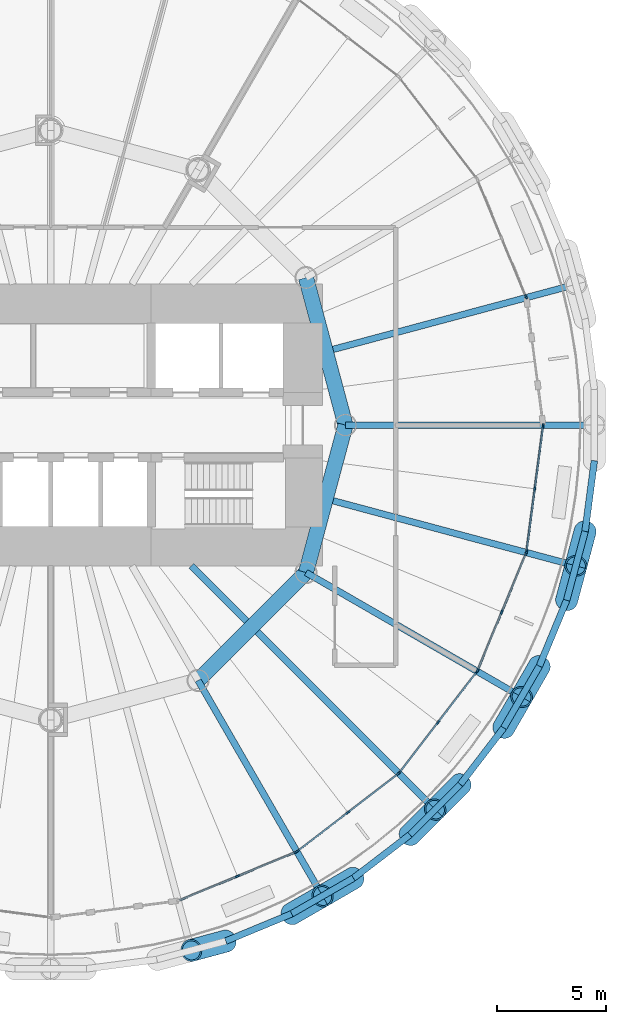
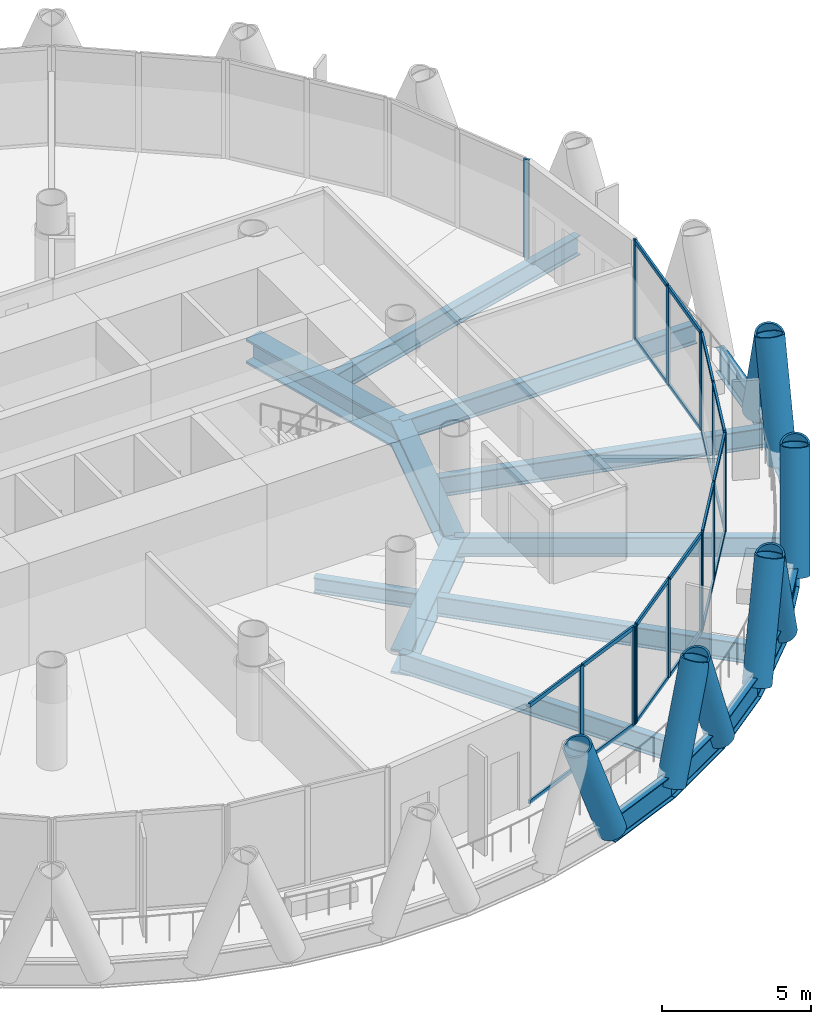
# One storey, part 4 of 16: 44 members, 19 beams, 6 elements without a shape of their own.
"""IFC4 building model written with IfcOpenShell, lengths in metres."""

import ifcopenshell
import ifcopenshell.guid

model = None  # the IFC model being written
_history = None  # IfcOwnerHistory: only IFC2X3 demands one
_inside = {}  # id of a spatial element -> (the spatial element, [elements in it])
_under = {}  # id of a project, library or spatial element -> (it, [spatial elements below it])
_declared = {}  # id of a project -> (the project, [libraries it declares])
_typed = {}  # id of a type object -> (the type object, [elements of that type])
_made_of = {}  # id of a material, layer set ... -> (it, [elements and type objects made of it])


def new_model(schema):
    """Start an empty IFC model of exactly this schema.

    Asked for "IFC4X3", IfcOpenShell would pick the latest addendum, in which some entities
    have other attributes; the version numbers below select the first issue.
    IFC2X3 requires an IfcOwnerHistory on every rooted entity: one is made here for all.
    """
    global model, _history
    if schema == "IFC4X3":
        model = ifcopenshell.file(schema_version=(4, 3, 0, 0))
    else:
        model = ifcopenshell.file(schema=schema)
    _inside.clear()
    _under.clear()
    _declared.clear()
    _typed.clear()
    _made_of.clear()
    _history = None
    if model.schema == "IFC2X3":
        org = make("IfcOrganization", Name="unknown")
        user = make(
            "IfcPersonAndOrganization",
            ThePerson=make("IfcPerson", FamilyName="unknown"),
            TheOrganization=org,
        )
        app = make(
            "IfcApplication",
            ApplicationDeveloper=org,
            Version="unknown",
            ApplicationFullName="unknown",
            ApplicationIdentifier="unknown",
        )
        _history = make(
            "IfcOwnerHistory",
            OwningUser=user,
            OwningApplication=app,
            ChangeAction="ADDED",
            CreationDate=0,
        )
    return model


def make(cls, **values):
    """One entity of the class cls with the attributes given. An attribute that is None is left unset."""
    return model.create_entity(
        cls, **{name: value for name, value in values.items() if value is not None}
    )


def rooted(cls, **values):
    """An entity with a GlobalId (a new one), such as an element, a storey or a relation."""
    return make(cls, GlobalId=ifcopenshell.guid.new(), OwnerHistory=_history, **values)


def si_unit(unit_type, name, prefix=None):
    """IfcSIUnit, for example si_unit("LENGTHUNIT", "METRE", prefix="MILLI")."""
    return make("IfcSIUnit", UnitType=unit_type, Prefix=prefix, Name=name)


def assignment(units):
    """IfcUnitAssignment: the units of a project."""
    return None if units is None else make("IfcUnitAssignment", Units=units)


def point(xyz):
    """IfcCartesianPoint."""
    return None if xyz is None else make("IfcCartesianPoint", Coordinates=xyz)


def direction(xyz):
    """IfcDirection."""
    return None if xyz is None else make("IfcDirection", DirectionRatios=xyz)


def frame(location, z_axis=None, x_axis=None):
    """IfcAxis2Placement3D, a coordinate frame: its origin and axes. An axis left out is left unset."""
    return make(
        "IfcAxis2Placement3D",
        Location=point(location),
        Axis=direction(z_axis),
        RefDirection=direction(x_axis),
    )


def frame_2d(location, x_axis=None):
    """IfcAxis2Placement2D, a coordinate frame in the plane: its origin and x axis."""
    return make(
        "IfcAxis2Placement2D", Location=point(location), RefDirection=direction(x_axis)
    )


def origin():
    """The frame at (0, 0, 0) with its axes left unset."""
    return frame((0.0, 0.0, 0.0))


def origin_2d():
    """The frame at (0, 0) in the plane with its x axis left unset."""
    return frame_2d((0.0, 0.0))


def place(relative_to, where):
    """IfcLocalPlacement: puts the frame where relative to a parent placement (None: the world)."""
    return make(
        "IfcLocalPlacement", PlacementRelTo=relative_to, RelativePlacement=where
    )


def context(
    kind, dimensions, precision=None, world=None, true_north=None, identifier=None
):
    """IfcGeometricRepresentationContext, for example the 3D "Model" context."""
    return make(
        "IfcGeometricRepresentationContext",
        ContextIdentifier=identifier,
        ContextType=kind,
        CoordinateSpaceDimension=dimensions,
        Precision=precision,
        WorldCoordinateSystem=world,
        TrueNorth=true_north,
    )


def subcontext(parent, identifier, kind, view, scale=None):
    """IfcGeometricRepresentationSubContext, for example "Body" below "Model"."""
    return make(
        "IfcGeometricRepresentationSubContext",
        ContextIdentifier=identifier,
        ContextType=kind,
        ParentContext=parent,
        TargetScale=scale,
        TargetView=view,
    )


def project(units=None, contexts=None):
    """IfcProject with its units and contexts."""
    return rooted(
        "IfcProject",
        Name="project",
        RepresentationContexts=contexts,
        UnitsInContext=assignment(units),
    )


def spatial(cls, under=None, at=None, **own):
    """A site, building, storey or space (cls), placed at a placement, below another one or the project."""
    s = rooted(cls, ObjectPlacement=at, **own)
    if under is not None:
        _under.setdefault(under.id(), (under, []))[1].append(s)
    return s


def profile(cls, at=None, kind="AREA", **sizes):
    """A parametric profile (cls). Its sizes go by their IFC names, for example OverallWidth=200.0."""
    return make(cls, ProfileType=kind, Position=at, **sizes)


def rectangle(**sizes):
    """IfcRectangleProfileDef."""
    return profile("IfcRectangleProfileDef", **sizes)


def hollow_circle(**sizes):
    """IfcCircleHollowProfileDef."""
    return profile("IfcCircleHollowProfileDef", **sizes)


def i_section(**sizes):
    """IfcIShapeProfileDef."""
    return profile("IfcIShapeProfileDef", **sizes)


def extrude(swept, where, along, depth):
    """IfcExtrudedAreaSolid: the profile swept, set in the frame where, extruded along a direction by depth."""
    return make(
        "IfcExtrudedAreaSolid",
        SweptArea=swept,
        Position=where,
        ExtrudedDirection=direction(along),
        Depth=depth,
    )


def shape(context_of_items, identifier, shape_type, items):
    """IfcShapeRepresentation: the items that make up one representation, for example the "Body"."""
    return make(
        "IfcShapeRepresentation",
        ContextOfItems=context_of_items,
        RepresentationIdentifier=identifier,
        RepresentationType=shape_type,
        Items=items,
    )


def material(Name=None, Category=None):
    """IfcMaterial."""
    return make("IfcMaterial", Name=Name, Category=Category)


def material_profile(
    of_material, cross_section, Name=None, Category=None, Priority=None
):
    """IfcMaterialProfile: a cross section and its material."""
    return make(
        "IfcMaterialProfile",
        Name=Name,
        Material=of_material,
        Profile=cross_section,
        Priority=Priority,
        Category=Category,
    )


def profile_set(profiles, Name=None, composite=None):
    """IfcMaterialProfileSet."""
    return make(
        "IfcMaterialProfileSet",
        Name=Name,
        MaterialProfiles=profiles,
        CompositeProfile=composite,
    )


def made_of(thing, what):
    """Note that an element or type object is made of a material, layer set ...; save() writes the relation."""
    if what is not None:
        _made_of.setdefault(what.id(), (what, []))[1].append(thing)
    return thing


def type_object(cls, material=None, **own):
    """A type object (cls), such as IfcWallType, which elements share."""
    return made_of(rooted(cls, **own), material)


def element(
    cls,
    number,
    at=None,
    inside=None,
    cuts=None,
    type_object=None,
    material=None,
    context=None,
    identifier="Body",
    shape_type=None,
    held_by="IfcProductDefinitionShape",
    body=None,
    shapes=None,
    **own,
):
    """One element of the class cls, such as IfcWall. Its Tag is "e" and its number.

    at: its placement. inside: the storey or other place that contains it. cuts: it is an
    opening in that element (IfcRelVoidsElement). A single representation is given by context,
    identifier, shape_type and body (its items); several are given by shapes. held_by: the class
    of the entity that holds the representations. save() writes the other relations.
    """
    e = rooted(cls, Tag="e%d" % number, ObjectPlacement=at, **own)
    if body is not None:
        shapes = [shape(context, identifier, shape_type, body)]
    if shapes is not None:
        e.Representation = make(held_by, Representations=shapes)
    if inside is not None:
        _inside.setdefault(inside.id(), (inside, []))[1].append(e)
    if cuts is not None:
        rooted(
            "IfcRelVoidsElement", RelatingBuildingElement=cuts, RelatedOpeningElement=e
        )
    if type_object is not None:
        _typed.setdefault(type_object.id(), (type_object, []))[1].append(e)
    return made_of(e, material)


def aggregate(whole, parts):
    """IfcRelAggregates: a whole, such as a stair, and the parts it consists of."""
    return rooted("IfcRelAggregates", RelatingObject=whole, RelatedObjects=parts)


def save(model, path):
    """Write the relations noted so far, then the file.

    IfcRelAggregates (storeys below a building ...), IfcRelContainedInSpatialStructure (elements
    in a storey), IfcRelDefinesByType, IfcRelAssociatesMaterial and IfcRelDeclares: one each for
    every whole, place, type object, material and project.
    """
    for whole, parts in _under.values():
        aggregate(whole, parts)
    for where, things in _inside.values():
        rooted(
            "IfcRelContainedInSpatialStructure",
            RelatedElements=things,
            RelatingStructure=where,
        )
    for kind, things in _typed.values():
        rooted("IfcRelDefinesByType", RelatedObjects=things, RelatingType=kind)
    for what, things in _made_of.values():
        rooted("IfcRelAssociatesMaterial", RelatedObjects=things, RelatingMaterial=what)
    for by, libraries in _declared.values():
        rooted("IfcRelDeclares", RelatingContext=by, RelatedDefinitions=libraries)
    model.write(path)


model = new_model("IFC4")

# Units and contexts
model_context = context("Model", 3, precision=1e-05, world=origin(), true_north=direction((0.0, 1.0)))
body_context = subcontext(model_context, "Body", "Model", "MODEL_VIEW")
ifc_project = project(units=[si_unit("LENGTHUNIT", "METRE"), si_unit("AREAUNIT", "SQUARE_METRE"), si_unit("VOLUMEUNIT", "CUBIC_METRE"), si_unit("PLANEANGLEUNIT", "RADIAN"), si_unit("MASSUNIT", "GRAM", prefix="KILO")], contexts=[model_context])

# Site, building, storey
site_placement = place(None, origin())
site = spatial("IfcSite", under=ifc_project, at=site_placement, CompositionType="ELEMENT")
building_placement = place(site_placement, origin())
building = spatial("IfcBuilding", under=site, at=building_placement, Name="Qaws Media Tower", CompositionType="ELEMENT")
storey_placement = place(building_placement, frame((0.0, 0.0, 139.39990234375)))
storey = spatial("IfcBuildingStorey", under=building, at=storey_placement, Name="L31", CompositionType="ELEMENT", Elevation=139.39990234375)

# Curtain wall, member
ifc_material_1 = material(Name="Aluminium and clear glass", Category="aluminium")
curtain_wall_type = type_object("IfcCurtainWallType", Name="Unitised curtain wall CW-B", PredefinedType="NOTDEFINED", material=ifc_material_1)
curtain_wall_1_placement = place(storey_placement, origin())
curtain_wall_1 = element("IfcCurtainWall", 1, at=curtain_wall_1_placement, inside=storey, type_object=curtain_wall_type, Name="CWB curtain wall L31-02", PredefinedType="NOTDEFINED")
ifc_material_2 = material(Name="Aluminium mullion", Category="aluminium")
ifc_material_profile_1 = material_profile(ifc_material_2, rectangle(XDim=0.080078125, YDim=0.199951171875, at=origin_2d()), Name="80x200")
ifc_profile_set_1 = profile_set([ifc_material_profile_1], Name="Aluminium mullion")
member_type_1 = type_object("IfcMemberType", Name="Curtain wall mullion 80x200", PredefinedType="MULLION", material=ifc_profile_set_1)
member_1_placement = place(storey_placement, frame((81.766357421875, 55.873291015625, 0.0), z_axis=(0.0, 0.0, 1.0), x_axis=(-0.923879575812, -0.382683327828, 0.0)))
member_1 = element("IfcMember", 2, at=member_1_placement, type_object=member_type_1, Name="CWB mullion 1", PredefinedType="MULLION", context=body_context, shape_type="SweptSolid", body=[
    extrude(rectangle(XDim=0.080078125, YDim=0.199951171875, at=origin_2d()), origin(), (0.0, 0.0, 1.0), 4.0400390625),
])
aggregate(curtain_wall_1, [member_1])

# Curtain wall, members
curtain_wall_2_placement = place(storey_placement, origin())
curtain_wall_2 = element("IfcCurtainWall", 3, at=curtain_wall_2_placement, inside=storey, type_object=curtain_wall_type, Name="CWB curtain wall L31-20", PredefinedType="NOTDEFINED")
member_2_placement = place(storey_placement, frame((68.5556640625, 29.3447265625, 0.0), z_axis=(0.0, 0.0, 1.0), x_axis=(-0.382683327828, 0.923879575812, 0.0)))
member_2 = element("IfcMember", 4, at=member_2_placement, type_object=member_type_1, Name="CWB mullion 2", PredefinedType="MULLION", context=body_context, shape_type="SweptSolid", body=[
    extrude(rectangle(XDim=0.080078125, YDim=0.199951171875, at=origin_2d()), origin(), (0.0, 0.0, 1.0), 4.0400390625),
])
member_3_placement = place(storey_placement, frame((71.238037109375, 30.455810546875, 0.0), z_axis=(0.0, 0.0, 1.0), x_axis=(-0.382683327828, 0.923879575812, 0.0)))
member_3 = element("IfcMember", 5, at=member_3_placement, type_object=member_type_1, Name="CWB mullion 3", PredefinedType="MULLION", context=body_context, shape_type="SweptSolid", body=[
    extrude(rectangle(XDim=0.080078125, YDim=0.199951171875, at=origin_2d()), origin(), (0.0, 0.0, 1.0), 4.0400390625),
])

curtain_wall_3_placement = place(storey_placement, origin())
curtain_wall_3 = element("IfcCurtainWall", 6, at=curtain_wall_3_placement, inside=storey, type_object=curtain_wall_type, Name="CWB curtain wall L31-21", PredefinedType="NOTDEFINED")
member_4_placement = place(storey_placement, frame((71.306640625, 30.495361328125, 0.0), z_axis=(0.0, 0.0, 1.0), x_axis=(-0.608761428552, 0.793353340642, 0.0)))
member_4 = element("IfcMember", 7, at=member_4_placement, type_object=member_type_1, Name="CWB mullion 1", PredefinedType="MULLION", context=body_context, shape_type="SweptSolid", body=[
    extrude(rectangle(XDim=0.080078125, YDim=0.199951171875, at=origin_2d()), origin(), (0.0, 0.0, 1.0), 4.0400390625),
])
member_5_placement = place(storey_placement, frame((73.610107421875, 32.262939453125, 0.0), z_axis=(0.0, 0.0, 1.0), x_axis=(-0.608761428552, 0.793353340642, 0.0)))
member_5 = element("IfcMember", 8, at=member_5_placement, type_object=member_type_1, Name="CWB mullion 2", PredefinedType="MULLION", context=body_context, shape_type="SweptSolid", body=[
    extrude(rectangle(XDim=0.080078125, YDim=0.199951171875, at=origin_2d()), origin(), (0.0, 0.0, 1.0), 4.0400390625),
])
member_6_placement = place(storey_placement, frame((75.91357421875, 34.0302734375, 0.0), z_axis=(0.0, 0.0, 1.0), x_axis=(-0.608761428552, 0.793353340642, 0.0)))
member_6 = element("IfcMember", 9, at=member_6_placement, type_object=member_type_1, Name="CWB mullion 3", PredefinedType="MULLION", context=body_context, shape_type="SweptSolid", body=[
    extrude(rectangle(XDim=0.080078125, YDim=0.199951171875, at=origin_2d()), origin(), (0.0, 0.0, 1.0), 4.0400390625),
])

curtain_wall_4_placement = place(storey_placement, origin())
curtain_wall_4 = element("IfcCurtainWall", 10, at=curtain_wall_4_placement, inside=storey, type_object=curtain_wall_type, Name="CWB curtain wall L31-22", PredefinedType="NOTDEFINED")
member_7_placement = place(storey_placement, frame((75.9697265625, 34.08642578125, 0.0), z_axis=(0.0, 0.0, 1.0), x_axis=(-0.793353340642, 0.608761428552, 0.0)))
member_7 = element("IfcMember", 11, at=member_7_placement, type_object=member_type_1, Name="CWB mullion 1", PredefinedType="MULLION", context=body_context, shape_type="SweptSolid", body=[
    extrude(rectangle(XDim=0.080078125, YDim=0.199951171875, at=origin_2d()), origin(), (0.0, 0.0, 1.0), 4.0400390625),
])
member_8_placement = place(storey_placement, frame((77.737060546875, 36.389892578125, 0.0), z_axis=(0.0, 0.0, 1.0), x_axis=(-0.793353340642, 0.608761428552, 0.0)))
member_8 = element("IfcMember", 12, at=member_8_placement, type_object=member_type_1, Name="CWB mullion 2", PredefinedType="MULLION", context=body_context, shape_type="SweptSolid", body=[
    extrude(rectangle(XDim=0.080078125, YDim=0.199951171875, at=origin_2d()), origin(), (0.0, 0.0, 1.0), 4.0400390625),
])
member_9_placement = place(storey_placement, frame((79.504638671875, 38.693359375, 0.0), z_axis=(0.0, 0.0, 1.0), x_axis=(-0.793353340642, 0.608761428552, 0.0)))
member_9 = element("IfcMember", 13, at=member_9_placement, type_object=member_type_1, Name="CWB mullion 3", PredefinedType="MULLION", context=body_context, shape_type="SweptSolid", body=[
    extrude(rectangle(XDim=0.080078125, YDim=0.199951171875, at=origin_2d()), origin(), (0.0, 0.0, 1.0), 4.0400390625),
])

curtain_wall_5_placement = place(storey_placement, origin())
curtain_wall_5 = element("IfcCurtainWall", 14, at=curtain_wall_5_placement, inside=storey, type_object=curtain_wall_type, Name="CWB curtain wall L31-23", PredefinedType="NOTDEFINED")
member_10_placement = place(storey_placement, frame((79.544189453125, 38.761962890625, 0.0), z_axis=(0.0, 0.0, 1.0), x_axis=(-0.923879575812, 0.382683327828, 0.0)))
member_10 = element("IfcMember", 15, at=member_10_placement, type_object=member_type_1, Name="CWB mullion 1", PredefinedType="MULLION", context=body_context, shape_type="SweptSolid", body=[
    extrude(rectangle(XDim=0.080078125, YDim=0.199951171875, at=origin_2d()), origin(), (0.0, 0.0, 1.0), 4.0400390625),
])
member_11_placement = place(storey_placement, frame((80.6552734375, 41.4443359375, 0.0), z_axis=(0.0, 0.0, 1.0), x_axis=(-0.923879575812, 0.382683327828, 0.0)))
member_11 = element("IfcMember", 16, at=member_11_placement, type_object=member_type_1, Name="CWB mullion 2", PredefinedType="MULLION", context=body_context, shape_type="SweptSolid", body=[
    extrude(rectangle(XDim=0.080078125, YDim=0.199951171875, at=origin_2d()), origin(), (0.0, 0.0, 1.0), 4.0400390625),
])
member_12_placement = place(storey_placement, frame((81.766357421875, 44.126708984375, 0.0), z_axis=(0.0, 0.0, 1.0), x_axis=(-0.923879575812, 0.382683327828, 0.0)))
member_12 = element("IfcMember", 17, at=member_12_placement, type_object=member_type_1, Name="CWB mullion 3", PredefinedType="MULLION", context=body_context, shape_type="SweptSolid", body=[
    extrude(rectangle(XDim=0.080078125, YDim=0.199951171875, at=origin_2d()), origin(), (0.0, 0.0, 1.0), 4.0400390625),
])

curtain_wall_6_placement = place(storey_placement, origin())
curtain_wall_6 = element("IfcCurtainWall", 18, at=curtain_wall_6_placement, inside=storey, type_object=curtain_wall_type, Name="CWB curtain wall L31-24", PredefinedType="NOTDEFINED")
member_13_placement = place(storey_placement, frame((81.786865234375, 44.203369140625, 0.0), z_axis=(0.0, 0.0, 1.0), x_axis=(-0.991444851608, 0.130526266402, 0.0)))
member_13 = element("IfcMember", 19, at=member_13_placement, type_object=member_type_1, Name="CWB mullion 1", PredefinedType="MULLION", context=body_context, shape_type="SweptSolid", body=[
    extrude(rectangle(XDim=0.080078125, YDim=0.199951171875, at=origin_2d()), origin(), (0.0, 0.0, 1.0), 4.0400390625),
])
member_14_placement = place(storey_placement, frame((82.165771484375, 47.081787109375, 0.0), z_axis=(0.0, 0.0, 1.0), x_axis=(-0.991444851608, 0.130526266402, 0.0)))
member_14 = element("IfcMember", 20, at=member_14_placement, type_object=member_type_1, Name="CWB mullion 2", PredefinedType="MULLION", context=body_context, shape_type="SweptSolid", body=[
    extrude(rectangle(XDim=0.080078125, YDim=0.199951171875, at=origin_2d()), origin(), (0.0, 0.0, 1.0), 4.0400390625),
])
member_15_placement = place(storey_placement, frame((82.544677734375, 49.96044921875, 0.0), z_axis=(0.0, 0.0, 1.0), x_axis=(-0.991444851608, 0.130526266402, 0.0)))
member_15 = element("IfcMember", 21, at=member_15_placement, type_object=member_type_1, Name="CWB mullion 3", PredefinedType="MULLION", context=body_context, shape_type="SweptSolid", body=[
    extrude(rectangle(XDim=0.080078125, YDim=0.199951171875, at=origin_2d()), origin(), (0.0, 0.0, 1.0), 4.0400390625),
])

# Member
ifc_material_3 = material(Name="Aluminium transom", Category="aluminium")
ifc_material_profile_2 = material_profile(ifc_material_3, rectangle(XDim=0.080078125, YDim=0.159912109375, at=origin_2d()), Name="80x160")
ifc_profile_set_2 = profile_set([ifc_material_profile_2], Name="Aluminium transom")
member_type_2 = type_object("IfcMemberType", Name="Curtain wall transom 80x160", PredefinedType="USERDEFINED", material=ifc_profile_set_2)
member_16_placement = place(storey_placement, frame((65.910400390625, 28.2490234375, 0.0400390625), z_axis=(0.923893525329, 0.382649648969, 0.0), x_axis=(-0.382649648969, 0.923893525329, 0.0)))
member_16 = element("IfcMember", 22, at=member_16_placement, type_object=member_type_2, Name="CWB transom 1.1", ObjectType="TRANSOM", PredefinedType="USERDEFINED", context=body_context, shape_type="SweptSolid", body=[
    extrude(rectangle(XDim=0.080078125, YDim=0.159912109375, at=origin_2d()), origin(), (0.0, 0.0, 1.0), 2.8232421875),
])

member_17_placement = place(storey_placement, frame((65.910400390625, 28.2490234375, 4.0), z_axis=(0.923893525329, 0.382649648969, 0.0), x_axis=(-0.382649648969, 0.923893525329, 0.0)))
member_17 = element("IfcMember", 23, at=member_17_placement, type_object=member_type_2, Name="CWB transom 1.2", ObjectType="TRANSOM", PredefinedType="USERDEFINED", context=body_context, shape_type="SweptSolid", body=[
    extrude(rectangle(XDim=0.080078125, YDim=0.159912109375, at=origin_2d()), origin(), (0.0, 0.0, 1.0), 2.8232421875),
])

member_18_placement = place(storey_placement, frame((68.592529296875, 29.360107421875, 0.0400390625), z_axis=(0.923906185473, 0.382619080086, 0.0), x_axis=(-0.382619080086, 0.923906185473, 0.0)))
member_18 = element("IfcMember", 24, at=member_18_placement, type_object=member_type_2, Name="CWB transom 2.1", ObjectType="TRANSOM", PredefinedType="USERDEFINED", context=body_context, shape_type="SweptSolid", body=[
    extrude(rectangle(XDim=0.080078125, YDim=0.159912109375, at=origin_2d()), origin(), (0.0, 0.0, 1.0), 2.823486328125),
])

member_19_placement = place(storey_placement, frame((68.592529296875, 29.360107421875, 4.0), z_axis=(0.923906185473, 0.382619080086, 0.0), x_axis=(-0.382619080086, 0.923906185473, 0.0)))
member_19 = element("IfcMember", 25, at=member_19_placement, type_object=member_type_2, Name="CWB transom 2.2", ObjectType="TRANSOM", PredefinedType="USERDEFINED", context=body_context, shape_type="SweptSolid", body=[
    extrude(rectangle(XDim=0.080078125, YDim=0.159912109375, at=origin_2d()), origin(), (0.0, 0.0, 1.0), 2.823486328125),
])

aggregate(curtain_wall_2, [member_2, member_3, member_16, member_17, member_18, member_19])

member_20_placement = place(storey_placement, frame((71.33837890625, 30.519775390625, 0.0400390625), z_axis=(0.793362741399, 0.608749177051, 0.0), x_axis=(-0.608749177051, 0.793362741399, 0.0)))
member_20 = element("IfcMember", 26, at=member_20_placement, type_object=member_type_2, Name="CWB transom 1.1", ObjectType="TRANSOM", PredefinedType="USERDEFINED", context=body_context, shape_type="SweptSolid", body=[
    extrude(rectangle(XDim=0.080078125, YDim=0.159912109375, at=origin_2d()), origin(), (0.0, 0.0, 1.0), 2.823486328125),
])

member_21_placement = place(storey_placement, frame((71.33837890625, 30.519775390625, 4.0), z_axis=(0.793362741399, 0.608749177051, 0.0), x_axis=(-0.608749177051, 0.793362741399, 0.0)))
member_21 = element("IfcMember", 27, at=member_21_placement, type_object=member_type_2, Name="CWB transom 1.2", ObjectType="TRANSOM", PredefinedType="USERDEFINED", context=body_context, shape_type="SweptSolid", body=[
    extrude(rectangle(XDim=0.080078125, YDim=0.159912109375, at=origin_2d()), origin(), (0.0, 0.0, 1.0), 2.823486328125),
])

member_22_placement = place(storey_placement, frame((73.641845703125, 32.287353515625, 0.0400390625), z_axis=(0.793362741399, 0.608749177051, 0.0), x_axis=(-0.608749177051, 0.793362741399, 0.0)))
member_22 = element("IfcMember", 28, at=member_22_placement, type_object=member_type_2, Name="CWB transom 2.1", ObjectType="TRANSOM", PredefinedType="USERDEFINED", context=body_context, shape_type="SweptSolid", body=[
    extrude(rectangle(XDim=0.080078125, YDim=0.159912109375, at=origin_2d()), origin(), (0.0, 0.0, 1.0), 2.823486328125),
])

member_23_placement = place(storey_placement, frame((73.641845703125, 32.287353515625, 4.0), z_axis=(0.793362741399, 0.608749177051, 0.0), x_axis=(-0.608749177051, 0.793362741399, 0.0)))
member_23 = element("IfcMember", 29, at=member_23_placement, type_object=member_type_2, Name="CWB transom 2.2", ObjectType="TRANSOM", PredefinedType="USERDEFINED", context=body_context, shape_type="SweptSolid", body=[
    extrude(rectangle(XDim=0.080078125, YDim=0.159912109375, at=origin_2d()), origin(), (0.0, 0.0, 1.0), 2.823486328125),
])

aggregate(curtain_wall_3, [member_4, member_5, member_6, member_20, member_21, member_22, member_23])

member_24_placement = place(storey_placement, frame((75.993896484375, 34.1181640625, 0.0400390625), z_axis=(0.608749177051, 0.793362741399, 0.0), x_axis=(-0.793362741399, 0.608749177051, 0.0)))
member_24 = element("IfcMember", 30, at=member_24_placement, type_object=member_type_2, Name="CWB transom 1.1", ObjectType="TRANSOM", PredefinedType="USERDEFINED", context=body_context, shape_type="SweptSolid", body=[
    extrude(rectangle(XDim=0.080078125, YDim=0.159912109375, at=origin_2d()), origin(), (0.0, 0.0, 1.0), 2.823486328125),
])

member_25_placement = place(storey_placement, frame((75.993896484375, 34.1181640625, 4.0), z_axis=(0.608749177051, 0.793362741399, 0.0), x_axis=(-0.793362741399, 0.608749177051, 0.0)))
member_25 = element("IfcMember", 31, at=member_25_placement, type_object=member_type_2, Name="CWB transom 1.2", ObjectType="TRANSOM", PredefinedType="USERDEFINED", context=body_context, shape_type="SweptSolid", body=[
    extrude(rectangle(XDim=0.080078125, YDim=0.159912109375, at=origin_2d()), origin(), (0.0, 0.0, 1.0), 2.823486328125),
])

member_26_placement = place(storey_placement, frame((77.761474609375, 36.421630859375, 0.0400390625), z_axis=(0.608749177051, 0.793362741399, 0.0), x_axis=(-0.793362741399, 0.608749177051, 0.0)))
member_26 = element("IfcMember", 32, at=member_26_placement, type_object=member_type_2, Name="CWB transom 2.1", ObjectType="TRANSOM", PredefinedType="USERDEFINED", context=body_context, shape_type="SweptSolid", body=[
    extrude(rectangle(XDim=0.080078125, YDim=0.159912109375, at=origin_2d()), origin(), (0.0, 0.0, 1.0), 2.823486328125),
])

member_27_placement = place(storey_placement, frame((77.761474609375, 36.421630859375, 4.0), z_axis=(0.608749177051, 0.793362741399, 0.0), x_axis=(-0.793362741399, 0.608749177051, 0.0)))
member_27 = element("IfcMember", 33, at=member_27_placement, type_object=member_type_2, Name="CWB transom 2.2", ObjectType="TRANSOM", PredefinedType="USERDEFINED", context=body_context, shape_type="SweptSolid", body=[
    extrude(rectangle(XDim=0.080078125, YDim=0.159912109375, at=origin_2d()), origin(), (0.0, 0.0, 1.0), 2.823486328125),
])

aggregate(curtain_wall_4, [member_7, member_8, member_9, member_24, member_25, member_26, member_27])

member_28_placement = place(storey_placement, frame((79.5595703125, 38.798828125, 0.0400390625), z_axis=(0.382619080086, 0.923906185473, 0.0), x_axis=(-0.923906185473, 0.382619080086, 0.0)))
member_28 = element("IfcMember", 34, at=member_28_placement, type_object=member_type_2, Name="CWB transom 1.1", ObjectType="TRANSOM", PredefinedType="USERDEFINED", context=body_context, shape_type="SweptSolid", body=[
    extrude(rectangle(XDim=0.080078125, YDim=0.159912109375, at=origin_2d()), origin(), (0.0, 0.0, 1.0), 2.823486328125),
])

member_29_placement = place(storey_placement, frame((79.5595703125, 38.798828125, 4.0), z_axis=(0.382619080086, 0.923906185473, 0.0), x_axis=(-0.923906185473, 0.382619080086, 0.0)))
member_29 = element("IfcMember", 35, at=member_29_placement, type_object=member_type_2, Name="CWB transom 1.2", ObjectType="TRANSOM", PredefinedType="USERDEFINED", context=body_context, shape_type="SweptSolid", body=[
    extrude(rectangle(XDim=0.080078125, YDim=0.159912109375, at=origin_2d()), origin(), (0.0, 0.0, 1.0), 2.823486328125),
])

member_30_placement = place(storey_placement, frame((80.670654296875, 41.481201171875, 0.0400390625), z_axis=(0.382649648969, 0.923893525329, 0.0), x_axis=(-0.923893525329, 0.382649648969, 0.0)))
member_30 = element("IfcMember", 36, at=member_30_placement, type_object=member_type_2, Name="CWB transom 2.1", ObjectType="TRANSOM", PredefinedType="USERDEFINED", context=body_context, shape_type="SweptSolid", body=[
    extrude(rectangle(XDim=0.080078125, YDim=0.159912109375, at=origin_2d()), origin(), (0.0, 0.0, 1.0), 2.8232421875),
])

member_31_placement = place(storey_placement, frame((80.670654296875, 41.481201171875, 4.0), z_axis=(0.382649648969, 0.923893525329, 0.0), x_axis=(-0.923893525329, 0.382649648969, 0.0)))
member_31 = element("IfcMember", 37, at=member_31_placement, type_object=member_type_2, Name="CWB transom 2.2", ObjectType="TRANSOM", PredefinedType="USERDEFINED", context=body_context, shape_type="SweptSolid", body=[
    extrude(rectangle(XDim=0.080078125, YDim=0.159912109375, at=origin_2d()), origin(), (0.0, 0.0, 1.0), 2.8232421875),
])

aggregate(curtain_wall_5, [member_10, member_11, member_12, member_28, member_29, member_30, member_31])

member_32_placement = place(storey_placement, frame((81.7919921875, 44.242919921875, 0.0400390625), z_axis=(0.130566348898, 0.991439573819, 0.0), x_axis=(-0.991439573819, 0.130566348898, 0.0)))
member_32 = element("IfcMember", 38, at=member_32_placement, type_object=member_type_2, Name="CWB transom 1.1", ObjectType="TRANSOM", PredefinedType="USERDEFINED", context=body_context, shape_type="SweptSolid", body=[
    extrude(rectangle(XDim=0.080078125, YDim=0.159912109375, at=origin_2d()), origin(), (0.0, 0.0, 1.0), 2.823486328125),
])

member_33_placement = place(storey_placement, frame((81.7919921875, 44.242919921875, 4.0), z_axis=(0.130566348898, 0.991439573819, 0.0), x_axis=(-0.991439573819, 0.130566348898, 0.0)))
member_33 = element("IfcMember", 39, at=member_33_placement, type_object=member_type_2, Name="CWB transom 1.2", ObjectType="TRANSOM", PredefinedType="USERDEFINED", context=body_context, shape_type="SweptSolid", body=[
    extrude(rectangle(XDim=0.080078125, YDim=0.159912109375, at=origin_2d()), origin(), (0.0, 0.0, 1.0), 2.823486328125),
])

member_34_placement = place(storey_placement, frame((82.171142578125, 47.12158203125, 0.0400390625), z_axis=(0.130492540798, 0.991449291087, 0.0), x_axis=(-0.991449291087, 0.130492540798, 0.0)))
member_34 = element("IfcMember", 40, at=member_34_placement, type_object=member_type_2, Name="CWB transom 2.1", ObjectType="TRANSOM", PredefinedType="USERDEFINED", context=body_context, shape_type="SweptSolid", body=[
    extrude(rectangle(XDim=0.080078125, YDim=0.159912109375, at=origin_2d()), origin(), (0.0, 0.0, 1.0), 2.8232421875),
])

member_35_placement = place(storey_placement, frame((82.171142578125, 47.12158203125, 4.0), z_axis=(0.130492540798, 0.991449291087, 0.0), x_axis=(-0.991449291087, 0.130492540798, 0.0)))
member_35 = element("IfcMember", 41, at=member_35_placement, type_object=member_type_2, Name="CWB transom 2.2", ObjectType="TRANSOM", PredefinedType="USERDEFINED", context=body_context, shape_type="SweptSolid", body=[
    extrude(rectangle(XDim=0.080078125, YDim=0.159912109375, at=origin_2d()), origin(), (0.0, 0.0, 1.0), 2.8232421875),
])

aggregate(curtain_wall_6, [member_13, member_14, member_15, member_32, member_33, member_34, member_35])

# Members
ifc_material_4 = material(Name="Steel S460", Category="steel")
ifc_material_profile_3 = material_profile(ifc_material_4, hollow_circle(Radius=0.508056640625, WallThickness=0.070068359375, at=origin_2d()), Name="CHS 1016x70")
ifc_profile_set_3 = profile_set([ifc_material_profile_3], Name="Steel S460")
member_type_3 = type_object("IfcMemberType", Name="Diagrid member CHS 1016x70", PredefinedType="USERDEFINED", material=ifc_profile_set_3)
for number, where, z_axis, x_axis, name in (
    (42, (71.03515625, 27.623046875, -0.663818359375), (0.313994548223, 0.180431724863, 0.932122211059), (-0.498232164266, 0.867043661237, 0.0), "DG3 diagrid L31 A20"),
    (43, (68.02001953125, 26.3740234375, -0.663818359375), (-0.349643146667, -0.094441035897, 0.932110809254), (0.260762064686, -0.965403100068, 0.0), "DG3 diagrid L31 B20"),
    (44, (76.45068359375, 31.24169921875, -0.663818359375), (0.25661422454, 0.255530549605, 0.932122995094), (-0.705608995959, 0.708601400522, 0.0), "DG3 diagrid L31 A21"),
    (45, (73.861572265625, 29.2548828125, -0.663818359375), (-0.313285600397, -0.181729488712, 0.932108644696), (0.501767344551, -0.865002619616, 0.0), "DG3 diagrid L31 B21"),
    (46, (80.7451171875, 36.138427734375, -0.663818359375), (0.181729488712, 0.313285600397, 0.932108644696), (-0.865002619616, 0.501767344551, 0.0), "DG3 diagrid L31 A22"),
    (47, (78.75830078125, 33.54931640625, -0.663818359375), (-0.255530549605, -0.25661422454, 0.932122995094), (0.708601400522, -0.705608995959, 0.0), "DG3 diagrid L31 B22"),
    (48, (83.6259765625, 41.97998046875, -0.663818359375), (0.094441035897, 0.349643146667, 0.932110809254), (-0.965403100068, 0.260762064686, 0.0), "DG3 diagrid L31 A23"),
    (49, (82.376953125, 38.96484375, -0.663818359375), (-0.180431724863, -0.313994548223, 0.932122211059), (0.867043661237, -0.498232164266, 0.0), "DG3 diagrid L31 B23"),
    (50, (84.470703125, 45.132568359375, -0.663818359375), (-0.09303221804, -0.350022206489, 0.93211021954), (0.966445675861, -0.256871087531, 0.0), "DG3 diagrid L31 B24"),
):
    element("IfcMember", number, at=place(storey_placement, frame(where, z_axis=z_axis, x_axis=x_axis)), inside=storey, type_object=member_type_3, Name=name, ObjectType="DIAGRID", PredefinedType="USERDEFINED", context=body_context, shape_type="SweptSolid", body=[
        extrude(hollow_circle(Radius=0.508056640625, WallThickness=0.070068359375, at=origin_2d()), origin(), (0.0, 0.0, 1.0), 4.505859375),
    ])

# Beams
ifc_material_5 = material(Name="Steel S460", Category="steel")
ifc_material_profile_4 = material_profile(ifc_material_5, i_section(OverallWidth=0.302001953125, OverallDepth=1.008056640625, WebThickness=0.02099609375, FlangeThickness=0.0400390625, FilletRadius=0.030029296875, at=origin_2d()), Name="HE 1000 M")
ifc_profile_set_4 = profile_set([ifc_material_profile_4], Name="Steel S460")
beam_type_1 = type_object("IfcBeamType", Name="Edge ring beam HE 1000 M", PredefinedType="BEAM", material=ifc_profile_set_4)
for number, where, z_axis, x_axis, name in (
    (51, (68.02001953125, 26.3740234375, -0.663818359375), (0.92386729958, 0.382712963939, 0.0), (-0.382712963939, 0.92386729958, 0.0), "RB3 edge ring beam L31-39"),
    (52, (71.03515625, 27.623046875, -0.663818359375), (0.866024887666, 0.500000893942, 0.0), (-0.500000893942, 0.866024887666, 0.0), "RB3 edge ring beam L31-40"),
    (53, (73.861572265625, 29.2548828125, -0.663818359375), (0.793335373101, 0.608784843592, 0.0), (-0.608784843592, 0.793335373101, 0.0), "RB3 edge ring beam L31-41"),
):
    element("IfcBeam", number, at=place(storey_placement, frame(where, z_axis=z_axis, x_axis=x_axis)), inside=storey, type_object=beam_type_1, Name=name, PredefinedType="BEAM", context=body_context, shape_type="SweptSolid", body=[
        extrude(i_section(OverallWidth=0.302001953125, OverallDepth=1.008056640625, WebThickness=0.02099609375, FlangeThickness=0.0400390625, FilletRadius=0.030029296875, at=origin_2d()), origin(), (0.0, 0.0, 1.0), 3.263671875),
    ])
beam_1_placement = place(storey_placement, frame((76.45068359375, 31.24169921875, -0.663818359375), z_axis=(0.707106781187, 0.707106781187, 0.0), x_axis=(-0.707106781187, 0.707106781187, 0.0)))
element("IfcBeam", 54, at=beam_1_placement, inside=storey, type_object=beam_type_1, Name="RB3 edge ring beam L31-42", PredefinedType="BEAM", context=body_context, shape_type="SweptSolid", body=[
    extrude(i_section(OverallWidth=0.302001953125, OverallDepth=1.008056640625, WebThickness=0.02099609375, FlangeThickness=0.0400390625, FilletRadius=0.030029296875, at=origin_2d()), origin(), (0.0, 0.0, 1.0), 3.263427734375),
])
for number, where, z_axis, x_axis, name in (
    (55, (78.75830078125, 33.54931640625, -0.663818359375), (0.608784843592, 0.793335373101, 0.0), (-0.793335373101, 0.608784843592, 0.0), "RB3 edge ring beam L31-43"),
    (56, (80.7451171875, 36.138427734375, -0.663818359375), (0.500000893942, 0.866024887666, 0.0), (-0.866024887666, 0.500000893942, 0.0), "RB3 edge ring beam L31-44"),
    (57, (82.376953125, 38.96484375, -0.663818359375), (0.382712963939, 0.92386729958, 0.0), (-0.92386729958, 0.382712963939, 0.0), "RB3 edge ring beam L31-45"),
):
    element("IfcBeam", number, at=place(storey_placement, frame(where, z_axis=z_axis, x_axis=x_axis)), inside=storey, type_object=beam_type_1, Name=name, PredefinedType="BEAM", context=body_context, shape_type="SweptSolid", body=[
        extrude(i_section(OverallWidth=0.302001953125, OverallDepth=1.008056640625, WebThickness=0.02099609375, FlangeThickness=0.0400390625, FilletRadius=0.030029296875, at=origin_2d()), origin(), (0.0, 0.0, 1.0), 3.263671875),
    ])
beam_2_placement = place(storey_placement, frame((83.6259765625, 41.97998046875, -0.663818359375), z_axis=(0.258817096385, 0.965926348444, 0.0), x_axis=(-0.965926348444, 0.258817096385, 0.0)))
element("IfcBeam", 58, at=beam_2_placement, inside=storey, type_object=beam_type_1, Name="RB3 edge ring beam L31-46", PredefinedType="BEAM", context=body_context, shape_type="SweptSolid", body=[
    extrude(i_section(OverallWidth=0.302001953125, OverallDepth=1.008056640625, WebThickness=0.02099609375, FlangeThickness=0.0400390625, FilletRadius=0.030029296875, at=origin_2d()), origin(), (0.0, 0.0, 1.0), 3.263916015625),
])
beam_3_placement = place(storey_placement, frame((84.470703125, 45.132568359375, -0.663818359375), z_axis=(0.130468058762, 0.991452513055, 0.0), x_axis=(-0.991452513055, 0.130468058762, 0.0)))
element("IfcBeam", 59, at=beam_3_placement, inside=storey, type_object=beam_type_1, Name="RB3 edge ring beam L31-47", PredefinedType="BEAM", context=body_context, shape_type="SweptSolid", body=[
    extrude(i_section(OverallWidth=0.302001953125, OverallDepth=1.008056640625, WebThickness=0.02099609375, FlangeThickness=0.0400390625, FilletRadius=0.030029296875, at=origin_2d()), origin(), (0.0, 0.0, 1.0), 3.263427734375),
])
ifc_material_6 = material(Name="Steel S460", Category="steel")
ifc_material_profile_5 = material_profile(ifc_material_6, i_section(OverallWidth=0.699951171875, OverallDepth=1.0, WebThickness=0.034912109375, FlangeThickness=0.090087890625, at=origin_2d()), Name="PG 1000x700")
ifc_profile_set_5 = profile_set([ifc_material_profile_5], Name="Steel S460")
beam_type_2 = type_object("IfcBeamType", Name="Inner ring girder PG 1000x700", PredefinedType="BEAM", material=ifc_profile_set_5)
beam_4_placement = place(storey_placement, frame((73.5, 50.0, -0.659912109375), z_axis=(-0.258810593767, 0.965928090778, 0.0), x_axis=(-0.965928090778, -0.258810593767, 0.0)))
element("IfcBeam", 60, at=beam_4_placement, inside=storey, type_object=beam_type_2, Name="B3 inner ring beam L31 I01-I02", PredefinedType="BEAM", context=body_context, shape_type="SweptSolid", body=[
    extrude(i_section(OverallWidth=0.699951171875, OverallDepth=1.0, WebThickness=0.034912109375, FlangeThickness=0.090087890625, at=origin_2d()), origin(), (0.0, 0.0, 1.0), 6.988037109375),
])
beam_5_placement = place(storey_placement, frame((66.75, 38.30859375, -0.659912109375), z_axis=(0.707106781187, 0.707106781187, 0.0), x_axis=(-0.707106781187, 0.707106781187, 0.0)))
element("IfcBeam", 61, at=beam_5_placement, inside=storey, type_object=beam_type_2, Name="B3 inner ring beam L31 I11-I12", PredefinedType="BEAM", context=body_context, shape_type="SweptSolid", body=[
    extrude(i_section(OverallWidth=0.699951171875, OverallDepth=1.0, WebThickness=0.034912109375, FlangeThickness=0.090087890625, at=origin_2d()), origin(), (0.0, 0.0, 1.0), 6.98828125),
])
beam_6_placement = place(storey_placement, frame((71.69140625, 43.25, -0.659912109375), z_axis=(0.258810593767, 0.965928090778, 0.0), x_axis=(-0.965928090778, 0.258810593767, 0.0)))
element("IfcBeam", 62, at=beam_6_placement, inside=storey, type_object=beam_type_2, Name="B3 inner ring beam L31 I12-I01", PredefinedType="BEAM", context=body_context, shape_type="SweptSolid", body=[
    extrude(i_section(OverallWidth=0.699951171875, OverallDepth=1.0, WebThickness=0.034912109375, FlangeThickness=0.090087890625, at=origin_2d()), origin(), (0.0, 0.0, 1.0), 6.988037109375),
])
ifc_material_7 = material(Name="Steel S355", Category="steel")
ifc_material_profile_6 = material_profile(ifc_material_7, i_section(OverallWidth=0.304931640625, OverallDepth=0.6201171875, WebThickness=0.02099609375, FlangeThickness=0.0400390625, FilletRadius=0.027099609375, at=origin_2d()), Name="HE 600 M")
ifc_profile_set_6 = profile_set([ifc_material_profile_6], Name="Steel S355")
beam_type_3 = type_object("IfcBeamType", Name="Radial beam HE 600 M, core side", PredefinedType="BEAM", material=ifc_profile_set_6)
beam_7_placement = place(storey_placement, frame((66.449951171875, 43.550048828125, -0.469970703125), z_axis=(0.707106781187, -0.707106781187, 0.0), x_axis=(0.707106781187, 0.707106781187, 0.0)))
element("IfcBeam", 63, at=beam_7_placement, inside=storey, type_object=beam_type_3, Name="B2 radial beam L31 22", PredefinedType="BEAM", context=body_context, shape_type="SweptSolid", body=[
    extrude(i_section(OverallWidth=0.304931640625, OverallDepth=0.6201171875, WebThickness=0.02099609375, FlangeThickness=0.0400390625, FilletRadius=0.027099609375, at=origin_2d()), origin(), (0.0, 0.0, 1.0), 3.568359375),
])
ifc_material_8 = material(Name="Steel S355", Category="steel")
ifc_material_profile_7 = material_profile(ifc_material_8, i_section(OverallWidth=0.300048828125, OverallDepth=0.800048828125, WebThickness=0.017578125, FlangeThickness=0.032958984375, FilletRadius=0.030029296875, at=origin_2d()), Name="HE 800 B")
ifc_profile_set_7 = profile_set([ifc_material_profile_7], Name="Steel S355")
beam_type_4 = type_object("IfcBeamType", Name="Radial beam HE 800 B", PredefinedType="BEAM", material=ifc_profile_set_7)
beam_8_placement = place(storey_placement, frame((73.5, 50.0, -0.559814453125), z_axis=(1.0, 0.0, 0.0), x_axis=(0.0, 1.0, 0.0)))
element("IfcBeam", 64, at=beam_8_placement, inside=storey, type_object=beam_type_4, Name="B1 radial beam L31 01", PredefinedType="BEAM", context=body_context, shape_type="SweptSolid", body=[
    extrude(i_section(OverallWidth=0.300048828125, OverallDepth=0.800048828125, WebThickness=0.017578125, FlangeThickness=0.032958984375, FilletRadius=0.030029296875, at=origin_2d()), origin(), (0.0, 0.0, 1.0), 11.396484375),
])
beam_9_placement = place(storey_placement, frame((72.933837890625, 53.465576171875, -0.559814453125), z_axis=(0.965927878977, 0.258811384245, 0.0), x_axis=(-0.258811384245, 0.965927878977, 0.0)))
element("IfcBeam", 65, at=beam_9_placement, inside=storey, type_object=beam_type_4, Name="B1 radial beam L31 02", PredefinedType="BEAM", context=body_context, shape_type="SweptSolid", body=[
    extrude(i_section(OverallWidth=0.300048828125, OverallDepth=0.800048828125, WebThickness=0.017578125, FlangeThickness=0.032958984375, FilletRadius=0.030029296875, at=origin_2d()), origin(), (0.0, 0.0, 1.0), 11.506591796875),
])
beam_10_placement = place(storey_placement, frame((66.75, 38.30859375, -0.559814453125), z_axis=(0.500000610825, -0.866025051124, 0.0), x_axis=(0.866025051124, 0.500000610825, 0.0)))
element("IfcBeam", 66, at=beam_10_placement, inside=storey, type_object=beam_type_4, Name="B1 radial beam L31 21", PredefinedType="BEAM", context=body_context, shape_type="SweptSolid", body=[
    extrude(i_section(OverallWidth=0.300048828125, OverallDepth=0.800048828125, WebThickness=0.017578125, FlangeThickness=0.032958984375, FilletRadius=0.030029296875, at=origin_2d()), origin(), (0.0, 0.0, 1.0), 11.396484375),
])
beam_11_placement = place(storey_placement, frame((69.46826171875, 40.53173828125, -0.559814453125), z_axis=(0.707106781187, -0.707106781187, 0.0), x_axis=(0.707106781187, 0.707106781187, 0.0)))
element("IfcBeam", 67, at=beam_11_placement, inside=storey, type_object=beam_type_4, Name="B1 radial beam L31 22", PredefinedType="BEAM", context=body_context, shape_type="SweptSolid", body=[
    extrude(i_section(OverallWidth=0.300048828125, OverallDepth=0.800048828125, WebThickness=0.017578125, FlangeThickness=0.032958984375, FilletRadius=0.030029296875, at=origin_2d()), origin(), (0.0, 0.0, 1.0), 11.50634765625),
])
beam_12_placement = place(storey_placement, frame((71.69140625, 43.25, -0.559814453125), z_axis=(0.866025051124, -0.500000610825, 0.0), x_axis=(0.500000610825, 0.866025051124, 0.0)))
element("IfcBeam", 68, at=beam_12_placement, inside=storey, type_object=beam_type_4, Name="B1 radial beam L31 23", PredefinedType="BEAM", context=body_context, shape_type="SweptSolid", body=[
    extrude(i_section(OverallWidth=0.300048828125, OverallDepth=0.800048828125, WebThickness=0.017578125, FlangeThickness=0.032958984375, FilletRadius=0.030029296875, at=origin_2d()), origin(), (0.0, 0.0, 1.0), 11.396484375),
])
beam_13_placement = place(storey_placement, frame((72.933837890625, 46.534423828125, -0.559814453125), z_axis=(0.965927878977, -0.258811384245, 0.0), x_axis=(0.258811384245, 0.965927878977, 0.0)))
element("IfcBeam", 69, at=beam_13_placement, inside=storey, type_object=beam_type_4, Name="B1 radial beam L31 24", PredefinedType="BEAM", context=body_context, shape_type="SweptSolid", body=[
    extrude(i_section(OverallWidth=0.300048828125, OverallDepth=0.800048828125, WebThickness=0.017578125, FlangeThickness=0.032958984375, FilletRadius=0.030029296875, at=origin_2d()), origin(), (0.0, 0.0, 1.0), 11.506591796875),
])

save(model, "model.ifc")
